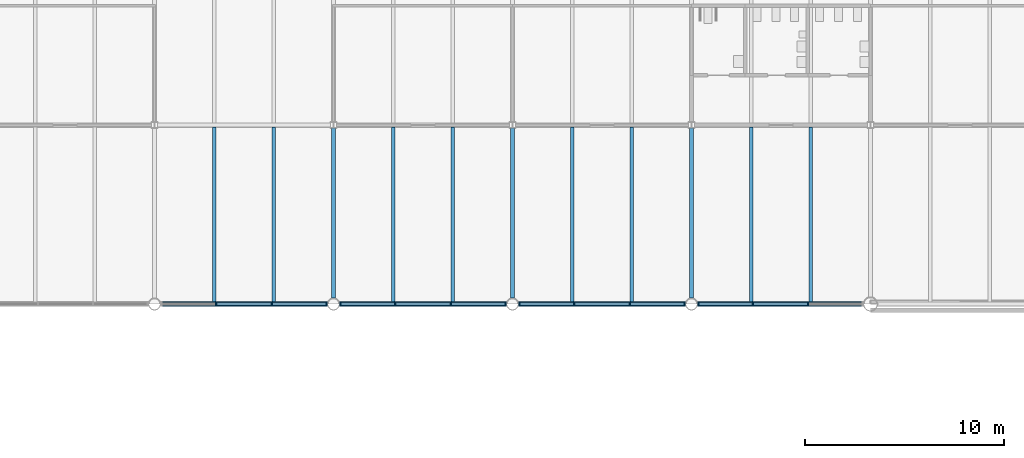
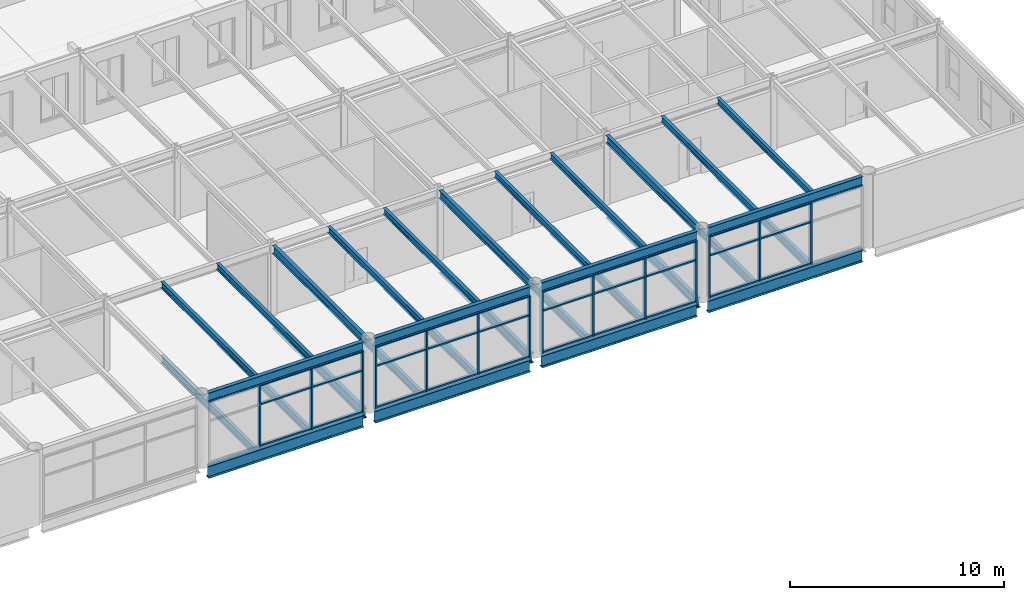
# One storey, part 47 of 123: 44 members, 30 beams, 4 elements without a shape of their own.
"""IFC4 building model written with IfcOpenShell, lengths in metres."""

from ifc_helpers import new_model, si_unit, direction, frame, origin, origin_2d, place, context, subcontext, project, spatial, rectangle, i_section, extrude, material, material_profile, profile_set, type_object, element, aggregate, save


model = new_model("IFC4")

# Units and contexts
model_context = context("Model", 3, precision=1e-05, world=origin(), true_north=direction((0.0, 1.0)))
body_context = subcontext(model_context, "Body", "Model", "MODEL_VIEW")
ifc_project = project(units=[si_unit("LENGTHUNIT", "METRE"), si_unit("AREAUNIT", "SQUARE_METRE"), si_unit("VOLUMEUNIT", "CUBIC_METRE"), si_unit("PLANEANGLEUNIT", "RADIAN"), si_unit("MASSUNIT", "GRAM", prefix="KILO")], contexts=[model_context])

# Site, building, storey
site_placement = place(None, origin())
site = spatial("IfcSite", under=ifc_project, at=site_placement, CompositionType="ELEMENT")
building_placement = place(site_placement, origin())
building = spatial("IfcBuilding", under=site, at=building_placement, Name="Baradari Gate Terminus", CompositionType="ELEMENT")
storey_placement = place(building_placement, frame((0.0, 0.0, 7.5)))
storey = spatial("IfcBuildingStorey", under=building, at=storey_placement, Name="L01", CompositionType="ELEMENT", Elevation=7.5)

# Curtain wall, members
ifc_material_1 = material(Name="Aluminium 6063-T6", Category="aluminium")
curtain_wall_type = type_object("IfcCurtainWallType", Name="Curtain wall CW-13 concourse gallery glazing", PredefinedType="NOTDEFINED", material=ifc_material_1)
curtain_wall_1_placement = place(storey_placement, origin())
curtain_wall_1 = element("IfcCurtainWall", 1, at=curtain_wall_1_placement, inside=storey, type_object=curtain_wall_type, Name="Glazed curtain wall CW-13 HS bay 23 L01", PredefinedType="NOTDEFINED")
ifc_material_2 = material(Name="Aluminium 6063-T6", Category="aluminium")
ifc_material_profile_1 = material_profile(ifc_material_2, rectangle(XDim=0.22509765625, YDim=0.080078125, at=origin_2d()), Name="CM-13 80X225")
ifc_profile_set_1 = profile_set([ifc_material_profile_1], Name="Aluminium 6063-T6")
member_type_1 = type_object("IfcMemberType", Name="Curtain wall mullion CM-13 80x225", PredefinedType="MULLION", material=ifc_profile_set_1)
member_1_placement = place(storey_placement, frame((201.1015625, 81.0, 0.0), z_axis=(0.0, 0.0, 1.0), x_axis=(0.0, 1.0, 0.0)))
member_1 = element("IfcMember", 2, at=member_1_placement, type_object=member_type_1, Name="CW-13 mullion 2", PredefinedType="MULLION", context=body_context, shape_type="SweptSolid", body=[
    extrude(rectangle(XDim=0.22509765625, YDim=0.080078125, at=origin_2d()), origin(), (0.0, 0.0, 1.0), 3.516845703125),
])
member_2_placement = place(storey_placement, frame((203.8984375, 81.0, 0.0), z_axis=(0.0, 0.0, 1.0), x_axis=(0.0, 1.0, 0.0)))
member_2 = element("IfcMember", 3, at=member_2_placement, type_object=member_type_1, Name="CW-13 mullion 3", PredefinedType="MULLION", context=body_context, shape_type="SweptSolid", body=[
    extrude(rectangle(XDim=0.22509765625, YDim=0.080078125, at=origin_2d()), origin(), (0.0, 0.0, 1.0), 3.516845703125),
])
member_3_placement = place(storey_placement, frame((206.655029296875, 81.0, 0.0), z_axis=(0.0, 0.0, 1.0), x_axis=(0.0, 1.0, 0.0)))
member_3 = element("IfcMember", 4, at=member_3_placement, type_object=member_type_1, Name="CW-13 mullion 4", PredefinedType="MULLION", context=body_context, shape_type="SweptSolid", body=[
    extrude(rectangle(XDim=0.22509765625, YDim=0.080078125, at=origin_2d()), origin(), (0.0, 0.0, 1.0), 3.516845703125),
])

curtain_wall_2_placement = place(storey_placement, origin())
curtain_wall_2 = element("IfcCurtainWall", 5, at=curtain_wall_2_placement, inside=storey, type_object=curtain_wall_type, Name="Glazed curtain wall CW-13 HS bay 24 L01", PredefinedType="NOTDEFINED")
member_4_placement = place(storey_placement, frame((207.344970703125, 81.0, 0.0), z_axis=(0.0, 0.0, 1.0), x_axis=(0.0, 1.0, 0.0)))
member_4 = element("IfcMember", 6, at=member_4_placement, type_object=member_type_1, Name="CW-13 mullion 1", PredefinedType="MULLION", context=body_context, shape_type="SweptSolid", body=[
    extrude(rectangle(XDim=0.22509765625, YDim=0.080078125, at=origin_2d()), origin(), (0.0, 0.0, 1.0), 3.516845703125),
])
member_5_placement = place(storey_placement, frame((210.1015625, 81.0, 0.0), z_axis=(0.0, 0.0, 1.0), x_axis=(0.0, 1.0, 0.0)))
member_5 = element("IfcMember", 7, at=member_5_placement, type_object=member_type_1, Name="CW-13 mullion 2", PredefinedType="MULLION", context=body_context, shape_type="SweptSolid", body=[
    extrude(rectangle(XDim=0.22509765625, YDim=0.080078125, at=origin_2d()), origin(), (0.0, 0.0, 1.0), 3.516845703125),
])
member_6_placement = place(storey_placement, frame((212.8984375, 81.0, 0.0), z_axis=(0.0, 0.0, 1.0), x_axis=(0.0, 1.0, 0.0)))
member_6 = element("IfcMember", 8, at=member_6_placement, type_object=member_type_1, Name="CW-13 mullion 3", PredefinedType="MULLION", context=body_context, shape_type="SweptSolid", body=[
    extrude(rectangle(XDim=0.22509765625, YDim=0.080078125, at=origin_2d()), origin(), (0.0, 0.0, 1.0), 3.516845703125),
])
member_7_placement = place(storey_placement, frame((215.655029296875, 81.0, 0.0), z_axis=(0.0, 0.0, 1.0), x_axis=(0.0, 1.0, 0.0)))
member_7 = element("IfcMember", 9, at=member_7_placement, type_object=member_type_1, Name="CW-13 mullion 4", PredefinedType="MULLION", context=body_context, shape_type="SweptSolid", body=[
    extrude(rectangle(XDim=0.22509765625, YDim=0.080078125, at=origin_2d()), origin(), (0.0, 0.0, 1.0), 3.516845703125),
])

curtain_wall_3_placement = place(storey_placement, origin())
curtain_wall_3 = element("IfcCurtainWall", 10, at=curtain_wall_3_placement, inside=storey, type_object=curtain_wall_type, Name="Glazed curtain wall CW-13 HS bay 25 L01", PredefinedType="NOTDEFINED")
member_8_placement = place(storey_placement, frame((216.344970703125, 81.0, 0.0), z_axis=(0.0, 0.0, 1.0), x_axis=(0.0, 1.0, 0.0)))
member_8 = element("IfcMember", 11, at=member_8_placement, type_object=member_type_1, Name="CW-13 mullion 1", PredefinedType="MULLION", context=body_context, shape_type="SweptSolid", body=[
    extrude(rectangle(XDim=0.22509765625, YDim=0.080078125, at=origin_2d()), origin(), (0.0, 0.0, 1.0), 3.516845703125),
])
member_9_placement = place(storey_placement, frame((219.1015625, 81.0, 0.0), z_axis=(0.0, 0.0, 1.0), x_axis=(0.0, 1.0, 0.0)))
member_9 = element("IfcMember", 12, at=member_9_placement, type_object=member_type_1, Name="CW-13 mullion 2", PredefinedType="MULLION", context=body_context, shape_type="SweptSolid", body=[
    extrude(rectangle(XDim=0.22509765625, YDim=0.080078125, at=origin_2d()), origin(), (0.0, 0.0, 1.0), 3.516845703125),
])
member_10_placement = place(storey_placement, frame((221.8984375, 81.0, 0.0), z_axis=(0.0, 0.0, 1.0), x_axis=(0.0, 1.0, 0.0)))
member_10 = element("IfcMember", 13, at=member_10_placement, type_object=member_type_1, Name="CW-13 mullion 3", PredefinedType="MULLION", context=body_context, shape_type="SweptSolid", body=[
    extrude(rectangle(XDim=0.22509765625, YDim=0.080078125, at=origin_2d()), origin(), (0.0, 0.0, 1.0), 3.516845703125),
])
member_11_placement = place(storey_placement, frame((224.655029296875, 81.0, 0.0), z_axis=(0.0, 0.0, 1.0), x_axis=(0.0, 1.0, 0.0)))
member_11 = element("IfcMember", 14, at=member_11_placement, type_object=member_type_1, Name="CW-13 mullion 4", PredefinedType="MULLION", context=body_context, shape_type="SweptSolid", body=[
    extrude(rectangle(XDim=0.22509765625, YDim=0.080078125, at=origin_2d()), origin(), (0.0, 0.0, 1.0), 3.516845703125),
])

curtain_wall_4_placement = place(storey_placement, origin())
curtain_wall_4 = element("IfcCurtainWall", 15, at=curtain_wall_4_placement, inside=storey, type_object=curtain_wall_type, Name="Glazed curtain wall CW-13 HS bay 26 L01", PredefinedType="NOTDEFINED")
member_12_placement = place(storey_placement, frame((225.344970703125, 81.0, 0.0), z_axis=(0.0, 0.0, 1.0), x_axis=(0.0, 1.0, 0.0)))
member_12 = element("IfcMember", 16, at=member_12_placement, type_object=member_type_1, Name="CW-13 mullion 1", PredefinedType="MULLION", context=body_context, shape_type="SweptSolid", body=[
    extrude(rectangle(XDim=0.22509765625, YDim=0.080078125, at=origin_2d()), origin(), (0.0, 0.0, 1.0), 3.516845703125),
])
member_13_placement = place(storey_placement, frame((228.084716796875, 81.0, 0.0), z_axis=(0.0, 0.0, 1.0), x_axis=(0.0, 1.0, 0.0)))
member_13 = element("IfcMember", 17, at=member_13_placement, type_object=member_type_1, Name="CW-13 mullion 2", PredefinedType="MULLION", context=body_context, shape_type="SweptSolid", body=[
    extrude(rectangle(XDim=0.22509765625, YDim=0.080078125, at=origin_2d()), origin(), (0.0, 0.0, 1.0), 3.516845703125),
])
member_14_placement = place(storey_placement, frame((230.86474609375, 81.0, 0.0), z_axis=(0.0, 0.0, 1.0), x_axis=(0.0, 1.0, 0.0)))
member_14 = element("IfcMember", 18, at=member_14_placement, type_object=member_type_1, Name="CW-13 mullion 3", PredefinedType="MULLION", context=body_context, shape_type="SweptSolid", body=[
    extrude(rectangle(XDim=0.22509765625, YDim=0.080078125, at=origin_2d()), origin(), (0.0, 0.0, 1.0), 3.516845703125),
])

# Member
ifc_material_3 = material(Name="Aluminium 6063-T6", Category="aluminium")
ifc_material_profile_2 = material_profile(ifc_material_3, rectangle(XDim=0.159912109375, YDim=0.080078125, at=origin_2d()), Name="CT-13 80X160")
ifc_profile_set_2 = profile_set([ifc_material_profile_2], Name="Aluminium 6063-T6")
member_type_2 = type_object("IfcMemberType", Name="Curtain wall transom CT-13 80x160", PredefinedType="USERDEFINED", material=ifc_profile_set_2)
member_15_placement = place(storey_placement, frame((201.1416015625, 81.0, 0.0400390625), z_axis=(1.0, 0.0, 0.0), x_axis=(0.0, 1.0, 0.0)))
member_15 = element("IfcMember", 19, at=member_15_placement, type_object=member_type_2, Name="CW-13 transom 2.1", ObjectType="TRANSOM", PredefinedType="USERDEFINED", context=body_context, shape_type="SweptSolid", body=[
    extrude(rectangle(XDim=0.159912109375, YDim=0.080078125, at=origin_2d()), origin(), (0.0, 0.0, 1.0), 2.716796875),
])

member_16_placement = place(storey_placement, frame((201.1416015625, 81.0, 2.39990234375), z_axis=(1.0, 0.0, 0.0), x_axis=(0.0, 1.0, 0.0)))
member_16 = element("IfcMember", 20, at=member_16_placement, type_object=member_type_2, Name="CW-13 transom 2.2", ObjectType="TRANSOM", PredefinedType="USERDEFINED", context=body_context, shape_type="SweptSolid", body=[
    extrude(rectangle(XDim=0.159912109375, YDim=0.080078125, at=origin_2d()), origin(), (0.0, 0.0, 1.0), 2.716796875),
])

member_17_placement = place(storey_placement, frame((201.1416015625, 81.0, 3.476806640625), z_axis=(1.0, 0.0, 0.0), x_axis=(0.0, 1.0, 0.0)))
member_17 = element("IfcMember", 21, at=member_17_placement, type_object=member_type_2, Name="CW-13 transom 2.3", ObjectType="TRANSOM", PredefinedType="USERDEFINED", context=body_context, shape_type="SweptSolid", body=[
    extrude(rectangle(XDim=0.159912109375, YDim=0.080078125, at=origin_2d()), origin(), (0.0, 0.0, 1.0), 2.716796875),
])

member_18_placement = place(storey_placement, frame((203.938232421875, 81.0, 0.0400390625), z_axis=(1.0, 0.0, 0.0), x_axis=(0.0, 1.0, 0.0)))
member_18 = element("IfcMember", 22, at=member_18_placement, type_object=member_type_2, Name="CW-13 transom 3.1", ObjectType="TRANSOM", PredefinedType="USERDEFINED", context=body_context, shape_type="SweptSolid", body=[
    extrude(rectangle(XDim=0.159912109375, YDim=0.080078125, at=origin_2d()), origin(), (0.0, 0.0, 1.0), 2.6767578125),
])

member_19_placement = place(storey_placement, frame((203.938232421875, 81.0, 2.39990234375), z_axis=(1.0, 0.0, 0.0), x_axis=(0.0, 1.0, 0.0)))
member_19 = element("IfcMember", 23, at=member_19_placement, type_object=member_type_2, Name="CW-13 transom 3.2", ObjectType="TRANSOM", PredefinedType="USERDEFINED", context=body_context, shape_type="SweptSolid", body=[
    extrude(rectangle(XDim=0.159912109375, YDim=0.080078125, at=origin_2d()), origin(), (0.0, 0.0, 1.0), 2.6767578125),
])

member_20_placement = place(storey_placement, frame((203.938232421875, 81.0, 3.476806640625), z_axis=(1.0, 0.0, 0.0), x_axis=(0.0, 1.0, 0.0)))
member_20 = element("IfcMember", 24, at=member_20_placement, type_object=member_type_2, Name="CW-13 transom 3.3", ObjectType="TRANSOM", PredefinedType="USERDEFINED", context=body_context, shape_type="SweptSolid", body=[
    extrude(rectangle(XDim=0.159912109375, YDim=0.080078125, at=origin_2d()), origin(), (0.0, 0.0, 1.0), 2.6767578125),
])

aggregate(curtain_wall_1, [member_1, member_2, member_3, member_15, member_16, member_17, member_18, member_19, member_20])

member_21_placement = place(storey_placement, frame((207.385009765625, 81.0, 0.0400390625), z_axis=(1.0, 0.0, 0.0), x_axis=(0.0, 1.0, 0.0)))
member_21 = element("IfcMember", 25, at=member_21_placement, type_object=member_type_2, Name="CW-13 transom 1.1", ObjectType="TRANSOM", PredefinedType="USERDEFINED", context=body_context, shape_type="SweptSolid", body=[
    extrude(rectangle(XDim=0.159912109375, YDim=0.080078125, at=origin_2d()), origin(), (0.0, 0.0, 1.0), 2.6767578125),
])

member_22_placement = place(storey_placement, frame((207.385009765625, 81.0, 2.39990234375), z_axis=(1.0, 0.0, 0.0), x_axis=(0.0, 1.0, 0.0)))
member_22 = element("IfcMember", 26, at=member_22_placement, type_object=member_type_2, Name="CW-13 transom 1.2", ObjectType="TRANSOM", PredefinedType="USERDEFINED", context=body_context, shape_type="SweptSolid", body=[
    extrude(rectangle(XDim=0.159912109375, YDim=0.080078125, at=origin_2d()), origin(), (0.0, 0.0, 1.0), 2.6767578125),
])

member_23_placement = place(storey_placement, frame((207.385009765625, 81.0, 3.476806640625), z_axis=(1.0, 0.0, 0.0), x_axis=(0.0, 1.0, 0.0)))
member_23 = element("IfcMember", 27, at=member_23_placement, type_object=member_type_2, Name="CW-13 transom 1.3", ObjectType="TRANSOM", PredefinedType="USERDEFINED", context=body_context, shape_type="SweptSolid", body=[
    extrude(rectangle(XDim=0.159912109375, YDim=0.080078125, at=origin_2d()), origin(), (0.0, 0.0, 1.0), 2.6767578125),
])

member_24_placement = place(storey_placement, frame((210.1416015625, 81.0, 0.0400390625), z_axis=(1.0, 0.0, 0.0), x_axis=(0.0, 1.0, 0.0)))
member_24 = element("IfcMember", 28, at=member_24_placement, type_object=member_type_2, Name="CW-13 transom 2.1", ObjectType="TRANSOM", PredefinedType="USERDEFINED", context=body_context, shape_type="SweptSolid", body=[
    extrude(rectangle(XDim=0.159912109375, YDim=0.080078125, at=origin_2d()), origin(), (0.0, 0.0, 1.0), 2.716796875),
])

member_25_placement = place(storey_placement, frame((210.1416015625, 81.0, 2.39990234375), z_axis=(1.0, 0.0, 0.0), x_axis=(0.0, 1.0, 0.0)))
member_25 = element("IfcMember", 29, at=member_25_placement, type_object=member_type_2, Name="CW-13 transom 2.2", ObjectType="TRANSOM", PredefinedType="USERDEFINED", context=body_context, shape_type="SweptSolid", body=[
    extrude(rectangle(XDim=0.159912109375, YDim=0.080078125, at=origin_2d()), origin(), (0.0, 0.0, 1.0), 2.716796875),
])

member_26_placement = place(storey_placement, frame((210.1416015625, 81.0, 3.476806640625), z_axis=(1.0, 0.0, 0.0), x_axis=(0.0, 1.0, 0.0)))
member_26 = element("IfcMember", 30, at=member_26_placement, type_object=member_type_2, Name="CW-13 transom 2.3", ObjectType="TRANSOM", PredefinedType="USERDEFINED", context=body_context, shape_type="SweptSolid", body=[
    extrude(rectangle(XDim=0.159912109375, YDim=0.080078125, at=origin_2d()), origin(), (0.0, 0.0, 1.0), 2.716796875),
])

member_27_placement = place(storey_placement, frame((212.938232421875, 81.0, 0.0400390625), z_axis=(1.0, 0.0, 0.0), x_axis=(0.0, 1.0, 0.0)))
member_27 = element("IfcMember", 31, at=member_27_placement, type_object=member_type_2, Name="CW-13 transom 3.1", ObjectType="TRANSOM", PredefinedType="USERDEFINED", context=body_context, shape_type="SweptSolid", body=[
    extrude(rectangle(XDim=0.159912109375, YDim=0.080078125, at=origin_2d()), origin(), (0.0, 0.0, 1.0), 2.6767578125),
])

member_28_placement = place(storey_placement, frame((212.938232421875, 81.0, 2.39990234375), z_axis=(1.0, 0.0, 0.0), x_axis=(0.0, 1.0, 0.0)))
member_28 = element("IfcMember", 32, at=member_28_placement, type_object=member_type_2, Name="CW-13 transom 3.2", ObjectType="TRANSOM", PredefinedType="USERDEFINED", context=body_context, shape_type="SweptSolid", body=[
    extrude(rectangle(XDim=0.159912109375, YDim=0.080078125, at=origin_2d()), origin(), (0.0, 0.0, 1.0), 2.6767578125),
])

member_29_placement = place(storey_placement, frame((212.938232421875, 81.0, 3.476806640625), z_axis=(1.0, 0.0, 0.0), x_axis=(0.0, 1.0, 0.0)))
member_29 = element("IfcMember", 33, at=member_29_placement, type_object=member_type_2, Name="CW-13 transom 3.3", ObjectType="TRANSOM", PredefinedType="USERDEFINED", context=body_context, shape_type="SweptSolid", body=[
    extrude(rectangle(XDim=0.159912109375, YDim=0.080078125, at=origin_2d()), origin(), (0.0, 0.0, 1.0), 2.6767578125),
])

aggregate(curtain_wall_2, [member_4, member_5, member_6, member_7, member_21, member_22, member_23, member_24, member_25, member_26, member_27, member_28, member_29])

member_30_placement = place(storey_placement, frame((216.385009765625, 81.0, 0.0400390625), z_axis=(1.0, 0.0, 0.0), x_axis=(0.0, 1.0, 0.0)))
member_30 = element("IfcMember", 34, at=member_30_placement, type_object=member_type_2, Name="CW-13 transom 1.1", ObjectType="TRANSOM", PredefinedType="USERDEFINED", context=body_context, shape_type="SweptSolid", body=[
    extrude(rectangle(XDim=0.159912109375, YDim=0.080078125, at=origin_2d()), origin(), (0.0, 0.0, 1.0), 2.6767578125),
])

member_31_placement = place(storey_placement, frame((216.385009765625, 81.0, 2.39990234375), z_axis=(1.0, 0.0, 0.0), x_axis=(0.0, 1.0, 0.0)))
member_31 = element("IfcMember", 35, at=member_31_placement, type_object=member_type_2, Name="CW-13 transom 1.2", ObjectType="TRANSOM", PredefinedType="USERDEFINED", context=body_context, shape_type="SweptSolid", body=[
    extrude(rectangle(XDim=0.159912109375, YDim=0.080078125, at=origin_2d()), origin(), (0.0, 0.0, 1.0), 2.6767578125),
])

member_32_placement = place(storey_placement, frame((216.385009765625, 81.0, 3.476806640625), z_axis=(1.0, 0.0, 0.0), x_axis=(0.0, 1.0, 0.0)))
member_32 = element("IfcMember", 36, at=member_32_placement, type_object=member_type_2, Name="CW-13 transom 1.3", ObjectType="TRANSOM", PredefinedType="USERDEFINED", context=body_context, shape_type="SweptSolid", body=[
    extrude(rectangle(XDim=0.159912109375, YDim=0.080078125, at=origin_2d()), origin(), (0.0, 0.0, 1.0), 2.6767578125),
])

member_33_placement = place(storey_placement, frame((219.1416015625, 81.0, 0.0400390625), z_axis=(1.0, 0.0, 0.0), x_axis=(0.0, 1.0, 0.0)))
member_33 = element("IfcMember", 37, at=member_33_placement, type_object=member_type_2, Name="CW-13 transom 2.1", ObjectType="TRANSOM", PredefinedType="USERDEFINED", context=body_context, shape_type="SweptSolid", body=[
    extrude(rectangle(XDim=0.159912109375, YDim=0.080078125, at=origin_2d()), origin(), (0.0, 0.0, 1.0), 2.716796875),
])

member_34_placement = place(storey_placement, frame((219.1416015625, 81.0, 2.39990234375), z_axis=(1.0, 0.0, 0.0), x_axis=(0.0, 1.0, 0.0)))
member_34 = element("IfcMember", 38, at=member_34_placement, type_object=member_type_2, Name="CW-13 transom 2.2", ObjectType="TRANSOM", PredefinedType="USERDEFINED", context=body_context, shape_type="SweptSolid", body=[
    extrude(rectangle(XDim=0.159912109375, YDim=0.080078125, at=origin_2d()), origin(), (0.0, 0.0, 1.0), 2.716796875),
])

member_35_placement = place(storey_placement, frame((219.1416015625, 81.0, 3.476806640625), z_axis=(1.0, 0.0, 0.0), x_axis=(0.0, 1.0, 0.0)))
member_35 = element("IfcMember", 39, at=member_35_placement, type_object=member_type_2, Name="CW-13 transom 2.3", ObjectType="TRANSOM", PredefinedType="USERDEFINED", context=body_context, shape_type="SweptSolid", body=[
    extrude(rectangle(XDim=0.159912109375, YDim=0.080078125, at=origin_2d()), origin(), (0.0, 0.0, 1.0), 2.716796875),
])

member_36_placement = place(storey_placement, frame((221.938232421875, 81.0, 0.0400390625), z_axis=(1.0, 0.0, 0.0), x_axis=(0.0, 1.0, 0.0)))
member_36 = element("IfcMember", 40, at=member_36_placement, type_object=member_type_2, Name="CW-13 transom 3.1", ObjectType="TRANSOM", PredefinedType="USERDEFINED", context=body_context, shape_type="SweptSolid", body=[
    extrude(rectangle(XDim=0.159912109375, YDim=0.080078125, at=origin_2d()), origin(), (0.0, 0.0, 1.0), 2.6767578125),
])

member_37_placement = place(storey_placement, frame((221.938232421875, 81.0, 2.39990234375), z_axis=(1.0, 0.0, 0.0), x_axis=(0.0, 1.0, 0.0)))
member_37 = element("IfcMember", 41, at=member_37_placement, type_object=member_type_2, Name="CW-13 transom 3.2", ObjectType="TRANSOM", PredefinedType="USERDEFINED", context=body_context, shape_type="SweptSolid", body=[
    extrude(rectangle(XDim=0.159912109375, YDim=0.080078125, at=origin_2d()), origin(), (0.0, 0.0, 1.0), 2.6767578125),
])

member_38_placement = place(storey_placement, frame((221.938232421875, 81.0, 3.476806640625), z_axis=(1.0, 0.0, 0.0), x_axis=(0.0, 1.0, 0.0)))
member_38 = element("IfcMember", 42, at=member_38_placement, type_object=member_type_2, Name="CW-13 transom 3.3", ObjectType="TRANSOM", PredefinedType="USERDEFINED", context=body_context, shape_type="SweptSolid", body=[
    extrude(rectangle(XDim=0.159912109375, YDim=0.080078125, at=origin_2d()), origin(), (0.0, 0.0, 1.0), 2.6767578125),
])

aggregate(curtain_wall_3, [member_8, member_9, member_10, member_11, member_30, member_31, member_32, member_33, member_34, member_35, member_36, member_37, member_38])

member_39_placement = place(storey_placement, frame((225.385009765625, 81.0, 0.0400390625), z_axis=(1.0, 0.0, 0.0), x_axis=(0.0, 1.0, 0.0)))
member_39 = element("IfcMember", 43, at=member_39_placement, type_object=member_type_2, Name="CW-13 transom 1.1", ObjectType="TRANSOM", PredefinedType="USERDEFINED", context=body_context, shape_type="SweptSolid", body=[
    extrude(rectangle(XDim=0.159912109375, YDim=0.080078125, at=origin_2d()), origin(), (0.0, 0.0, 1.0), 2.659912109375),
])

member_40_placement = place(storey_placement, frame((225.385009765625, 81.0, 2.39990234375), z_axis=(1.0, 0.0, 0.0), x_axis=(0.0, 1.0, 0.0)))
member_40 = element("IfcMember", 44, at=member_40_placement, type_object=member_type_2, Name="CW-13 transom 1.2", ObjectType="TRANSOM", PredefinedType="USERDEFINED", context=body_context, shape_type="SweptSolid", body=[
    extrude(rectangle(XDim=0.159912109375, YDim=0.080078125, at=origin_2d()), origin(), (0.0, 0.0, 1.0), 2.659912109375),
])

member_41_placement = place(storey_placement, frame((225.385009765625, 81.0, 3.476806640625), z_axis=(1.0, 0.0, 0.0), x_axis=(0.0, 1.0, 0.0)))
member_41 = element("IfcMember", 45, at=member_41_placement, type_object=member_type_2, Name="CW-13 transom 1.3", ObjectType="TRANSOM", PredefinedType="USERDEFINED", context=body_context, shape_type="SweptSolid", body=[
    extrude(rectangle(XDim=0.159912109375, YDim=0.080078125, at=origin_2d()), origin(), (0.0, 0.0, 1.0), 2.659912109375),
])

member_42_placement = place(storey_placement, frame((228.124755859375, 81.0, 0.0400390625), z_axis=(1.0, 0.0, 0.0), x_axis=(0.0, 1.0, 0.0)))
member_42 = element("IfcMember", 46, at=member_42_placement, type_object=member_type_2, Name="CW-13 transom 2.1", ObjectType="TRANSOM", PredefinedType="USERDEFINED", context=body_context, shape_type="SweptSolid", body=[
    extrude(rectangle(XDim=0.159912109375, YDim=0.080078125, at=origin_2d()), origin(), (0.0, 0.0, 1.0), 2.699951171875),
])

member_43_placement = place(storey_placement, frame((228.124755859375, 81.0, 2.39990234375), z_axis=(1.0, 0.0, 0.0), x_axis=(0.0, 1.0, 0.0)))
member_43 = element("IfcMember", 47, at=member_43_placement, type_object=member_type_2, Name="CW-13 transom 2.2", ObjectType="TRANSOM", PredefinedType="USERDEFINED", context=body_context, shape_type="SweptSolid", body=[
    extrude(rectangle(XDim=0.159912109375, YDim=0.080078125, at=origin_2d()), origin(), (0.0, 0.0, 1.0), 2.699951171875),
])

member_44_placement = place(storey_placement, frame((228.124755859375, 81.0, 3.476806640625), z_axis=(1.0, 0.0, 0.0), x_axis=(0.0, 1.0, 0.0)))
member_44 = element("IfcMember", 48, at=member_44_placement, type_object=member_type_2, Name="CW-13 transom 2.3", ObjectType="TRANSOM", PredefinedType="USERDEFINED", context=body_context, shape_type="SweptSolid", body=[
    extrude(rectangle(XDim=0.159912109375, YDim=0.080078125, at=origin_2d()), origin(), (0.0, 0.0, 1.0), 2.699951171875),
])

aggregate(curtain_wall_4, [member_12, member_13, member_14, member_39, member_40, member_41, member_42, member_43, member_44])

# Beams
ifc_material_4 = material(Name="Steel S355", Category="steel")
ifc_material_profile_3 = material_profile(ifc_material_4, i_section(OverallWidth=0.210693359375, OverallDepth=0.53955078125, WebThickness=0.01171875, FlangeThickness=0.018798828125, FilletRadius=0.0126953125, at=origin_2d()), Name="UB 533x210x109")
ifc_profile_set_3 = profile_set([ifc_material_profile_3], Name="Steel S355")
beam_type_1 = type_object("IfcBeamType", Name="Head-house cross girder B12 UB 533x210x109", PredefinedType="BEAM", material=ifc_profile_set_3)
for number, where, z_axis, x_axis, name in (
    (49, (207.0, 81.304931640625, -0.399658203125), (0.0, 1.0, 0.0), (-1.0, 0.0, 0.0), "Head-house cross girder B12 24:81.305-89.843 L01"),
    (50, (216.0, 81.304931640625, -0.399658203125), (0.0, 1.0, 0.0), (-1.0, 0.0, 0.0), "Head-house cross girder B12 25:81.305-89.843 L01"),
    (51, (225.0, 81.304931640625, -0.399658203125), (0.0, 1.0, 0.0), (-1.0, 0.0, 0.0), "Head-house cross girder B12 26:81.305-89.843 L01"),
):
    element("IfcBeam", number, at=place(storey_placement, frame(where, z_axis=z_axis, x_axis=x_axis)), inside=storey, type_object=beam_type_1, Name=name, PredefinedType="BEAM", context=body_context, shape_type="SweptSolid", body=[
        extrude(i_section(OverallWidth=0.210693359375, OverallDepth=0.53955078125, WebThickness=0.01171875, FlangeThickness=0.018798828125, FilletRadius=0.0126953125, at=origin_2d()), origin(), (0.0, 0.0, 1.0), 8.537841796875),
    ])
ifc_material_5 = material(Name="Steel S355", Category="steel")
ifc_material_profile_4 = material_profile(ifc_material_5, i_section(OverallWidth=0.2529296875, OverallDepth=0.677978515625, WebThickness=0.01171875, FlangeThickness=0.01611328125, FilletRadius=0.01513671875, at=origin_2d()), Name="UB 686x254x125")
ifc_profile_set_4 = profile_set([ifc_material_profile_4], Name="Steel S355")
beam_type_2 = type_object("IfcBeamType", Name="Head-house edge girder B07 UB 686x254x125", PredefinedType="BEAM", material=ifc_profile_set_4)
for number, where, z_axis, x_axis, name in (
    (52, (198.304931640625, 81.0, -0.468994140625), (1.0, 0.0, 0.0), (0.0, 1.0, 0.0), "Head-house edge girder B07 K:198.305-206.695 L01"),
    (53, (207.304931640625, 81.0, -0.468994140625), (1.0, 0.0, 0.0), (0.0, 1.0, 0.0), "Head-house edge girder B07 K:207.305-215.695 L01"),
    (54, (216.304931640625, 81.0, -0.468994140625), (1.0, 0.0, 0.0), (0.0, 1.0, 0.0), "Head-house edge girder B07 K:216.305-224.695 L01"),
):
    element("IfcBeam", number, at=place(storey_placement, frame(where, z_axis=z_axis, x_axis=x_axis)), inside=storey, type_object=beam_type_2, Name=name, PredefinedType="BEAM", context=body_context, shape_type="SweptSolid", body=[
        extrude(i_section(OverallWidth=0.2529296875, OverallDepth=0.677978515625, WebThickness=0.01171875, FlangeThickness=0.01611328125, FilletRadius=0.01513671875, at=origin_2d()), origin(), (0.0, 0.0, 1.0), 8.39013671875),
    ])
beam_1_placement = place(storey_placement, frame((225.304931640625, 81.0, -0.468994140625), z_axis=(1.0, 0.0, 0.0), x_axis=(0.0, 1.0, 0.0)))
element("IfcBeam", 55, at=beam_1_placement, inside=storey, type_object=beam_type_2, Name="Head-house edge girder B07 K:225.305-233.644 L01", PredefinedType="BEAM", context=body_context, shape_type="SweptSolid", body=[
    extrude(i_section(OverallWidth=0.2529296875, OverallDepth=0.677978515625, WebThickness=0.01171875, FlangeThickness=0.01611328125, FilletRadius=0.01513671875, at=origin_2d()), origin(), (0.0, 0.0, 1.0), 8.339599609375),
])
ifc_material_6 = material(Name="Steel S355", Category="steel")
ifc_material_profile_5 = material_profile(ifc_material_6, i_section(OverallWidth=0.1904296875, OverallDepth=0.45703125, WebThickness=0.009033203125, FlangeThickness=0.014404296875, FilletRadius=0.01025390625, at=origin_2d()), Name="UB 457x191x74")
ifc_profile_set_5 = profile_set([ifc_material_profile_5], Name="Steel S355")
beam_type_3 = type_object("IfcBeamType", Name="Head-house roof cross girder B51 UB 457x191x74", PredefinedType="BEAM", material=ifc_profile_set_5)
for number, where, z_axis, x_axis, name in (
    (56, (207.0, 81.304931640625, 3.821533203125), (0.0, 1.0, 0.0), (-1.0, 0.0, 0.0), "Head-house roof cross girder B51 24:81.305-89.843 L01"),
    (57, (216.0, 81.304931640625, 3.821533203125), (0.0, 1.0, 0.0), (-1.0, 0.0, 0.0), "Head-house roof cross girder B51 25:81.305-89.843 L01"),
    (58, (225.0, 81.304931640625, 3.821533203125), (0.0, 1.0, 0.0), (-1.0, 0.0, 0.0), "Head-house roof cross girder B51 26:81.305-89.843 L01"),
):
    element("IfcBeam", number, at=place(storey_placement, frame(where, z_axis=z_axis, x_axis=x_axis)), inside=storey, type_object=beam_type_3, Name=name, PredefinedType="BEAM", context=body_context, shape_type="SweptSolid", body=[
        extrude(i_section(OverallWidth=0.1904296875, OverallDepth=0.45703125, WebThickness=0.009033203125, FlangeThickness=0.014404296875, FilletRadius=0.01025390625, at=origin_2d()), origin(), (0.0, 0.0, 1.0), 8.537841796875),
    ])
ifc_material_7 = material(Name="Steel S355", Category="steel")
ifc_material_profile_6 = material_profile(ifc_material_7, i_section(OverallWidth=0.209228515625, OverallDepth=0.533203125, WebThickness=0.010009765625, FlangeThickness=0.015625, FilletRadius=0.0126953125, at=origin_2d()), Name="UB 533x210x92")
ifc_profile_set_6 = profile_set([ifc_material_profile_6], Name="Steel S355")
beam_type_4 = type_object("IfcBeamType", Name="Head-house roof edge girder B48 UB 533x210x92", PredefinedType="BEAM", material=ifc_profile_set_6)
for number, where, z_axis, x_axis, name in (
    (59, (198.304931640625, 81.0, 3.783447265625), (1.0, 0.0, 0.0), (0.0, 1.0, 0.0), "Head-house roof edge girder B48 K:198.305-206.695 L01"),
    (60, (207.304931640625, 81.0, 3.783447265625), (1.0, 0.0, 0.0), (0.0, 1.0, 0.0), "Head-house roof edge girder B48 K:207.305-215.695 L01"),
    (61, (216.304931640625, 81.0, 3.783447265625), (1.0, 0.0, 0.0), (0.0, 1.0, 0.0), "Head-house roof edge girder B48 K:216.305-224.695 L01"),
):
    element("IfcBeam", number, at=place(storey_placement, frame(where, z_axis=z_axis, x_axis=x_axis)), inside=storey, type_object=beam_type_4, Name=name, PredefinedType="BEAM", context=body_context, shape_type="SweptSolid", body=[
        extrude(i_section(OverallWidth=0.209228515625, OverallDepth=0.533203125, WebThickness=0.010009765625, FlangeThickness=0.015625, FilletRadius=0.0126953125, at=origin_2d()), origin(), (0.0, 0.0, 1.0), 8.39013671875),
    ])
beam_2_placement = place(storey_placement, frame((225.304931640625, 81.0, 3.783447265625), z_axis=(1.0, 0.0, 0.0), x_axis=(0.0, 1.0, 0.0)))
element("IfcBeam", 62, at=beam_2_placement, inside=storey, type_object=beam_type_4, Name="Head-house roof edge girder B48 K:225.305-233.644 L01", PredefinedType="BEAM", context=body_context, shape_type="SweptSolid", body=[
    extrude(i_section(OverallWidth=0.209228515625, OverallDepth=0.533203125, WebThickness=0.010009765625, FlangeThickness=0.015625, FilletRadius=0.0126953125, at=origin_2d()), origin(), (0.0, 0.0, 1.0), 8.339599609375),
])
ifc_material_8 = material(Name="Steel S355", Category="steel")
ifc_material_profile_7 = material_profile(ifc_material_8, i_section(OverallWidth=0.17138671875, OverallDepth=0.35498046875, WebThickness=0.00732421875, FlangeThickness=0.011474609375, FilletRadius=0.01025390625, at=origin_2d()), Name="UB 356x171x51")
ifc_profile_set_7 = profile_set([ifc_material_profile_7], Name="Steel S355")
beam_type_5 = type_object("IfcBeamType", Name="Head-house roof secondary beam B50 UB 356x171x51", PredefinedType="BEAM", material=ifc_profile_set_7)
for number, where, z_axis, x_axis, name in (
    (63, (201.0, 81.104736328125, 3.87255859375), (0.0, 1.0, 0.0), (-1.0, 0.0, 0.0), "Head-house roof secondary beam B50 201:81.105-89.904 L01"),
    (64, (204.0, 81.104736328125, 3.87255859375), (0.0, 1.0, 0.0), (-1.0, 0.0, 0.0), "Head-house roof secondary beam B50 204:81.105-89.904 L01"),
    (65, (210.0, 81.104736328125, 3.87255859375), (0.0, 1.0, 0.0), (-1.0, 0.0, 0.0), "Head-house roof secondary beam B50 210:81.105-89.904 L01"),
    (66, (213.0, 81.104736328125, 3.87255859375), (0.0, 1.0, 0.0), (-1.0, 0.0, 0.0), "Head-house roof secondary beam B50 213:81.105-89.904 L01"),
    (67, (219.0, 81.104736328125, 3.87255859375), (0.0, 1.0, 0.0), (-1.0, 0.0, 0.0), "Head-house roof secondary beam B50 219:81.105-89.904 L01"),
    (68, (222.0, 81.104736328125, 3.87255859375), (0.0, 1.0, 0.0), (-1.0, 0.0, 0.0), "Head-house roof secondary beam B50 222:81.105-89.904 L01"),
    (69, (228.0, 81.104736328125, 3.87255859375), (0.0, 1.0, 0.0), (-1.0, 0.0, 0.0), "Head-house roof secondary beam B50 228:81.105-89.904 L01"),
    (70, (231.0, 81.104736328125, 3.87255859375), (0.0, 1.0, 0.0), (-1.0, 0.0, 0.0), "Head-house roof secondary beam B50 231:81.105-89.904 L01"),
):
    element("IfcBeam", number, at=place(storey_placement, frame(where, z_axis=z_axis, x_axis=x_axis)), inside=storey, type_object=beam_type_5, Name=name, PredefinedType="BEAM", context=body_context, shape_type="SweptSolid", body=[
        extrude(i_section(OverallWidth=0.17138671875, OverallDepth=0.35498046875, WebThickness=0.00732421875, FlangeThickness=0.011474609375, FilletRadius=0.01025390625, at=origin_2d()), origin(), (0.0, 0.0, 1.0), 8.799560546875),
    ])
ifc_material_9 = material(Name="Steel S355", Category="steel")
ifc_material_profile_8 = material_profile(ifc_material_9, i_section(OverallWidth=0.18994140625, OverallDepth=0.453369140625, WebThickness=0.008544921875, FlangeThickness=0.0126953125, FilletRadius=0.01025390625, at=origin_2d()), Name="UB 457x191x67")
ifc_profile_set_8 = profile_set([ifc_material_profile_8], Name="Steel S355")
beam_type_6 = type_object("IfcBeamType", Name="Head-house secondary beam B11 UB 457x191x67", PredefinedType="BEAM", material=ifc_profile_set_8)
for number, where, z_axis, x_axis, name in (
    (71, (201.0, 81.12646484375, -0.356689453125), (0.0, 1.0, 0.0), (-1.0, 0.0, 0.0), "Head-house secondary beam B11 201:81.126-89.885 L01"),
    (72, (204.0, 81.12646484375, -0.356689453125), (0.0, 1.0, 0.0), (-1.0, 0.0, 0.0), "Head-house secondary beam B11 204:81.126-89.885 L01"),
    (73, (210.0, 81.12646484375, -0.356689453125), (0.0, 1.0, 0.0), (-1.0, 0.0, 0.0), "Head-house secondary beam B11 210:81.126-89.885 L01"),
    (74, (213.0, 81.12646484375, -0.356689453125), (0.0, 1.0, 0.0), (-1.0, 0.0, 0.0), "Head-house secondary beam B11 213:81.126-89.885 L01"),
    (75, (219.0, 81.12646484375, -0.356689453125), (0.0, 1.0, 0.0), (-1.0, 0.0, 0.0), "Head-house secondary beam B11 219:81.126-89.885 L01"),
    (76, (222.0, 81.12646484375, -0.356689453125), (0.0, 1.0, 0.0), (-1.0, 0.0, 0.0), "Head-house secondary beam B11 222:81.126-89.885 L01"),
    (77, (228.0, 81.12646484375, -0.356689453125), (0.0, 1.0, 0.0), (-1.0, 0.0, 0.0), "Head-house secondary beam B11 228:81.126-89.885 L01"),
    (78, (231.0, 81.12646484375, -0.356689453125), (0.0, 1.0, 0.0), (-1.0, 0.0, 0.0), "Head-house secondary beam B11 231:81.126-89.885 L01"),
):
    element("IfcBeam", number, at=place(storey_placement, frame(where, z_axis=z_axis, x_axis=x_axis)), inside=storey, type_object=beam_type_6, Name=name, PredefinedType="BEAM", context=body_context, shape_type="SweptSolid", body=[
        extrude(i_section(OverallWidth=0.18994140625, OverallDepth=0.453369140625, WebThickness=0.008544921875, FlangeThickness=0.0126953125, FilletRadius=0.01025390625, at=origin_2d()), origin(), (0.0, 0.0, 1.0), 8.759033203125),
    ])

save(model, "model.ifc")
